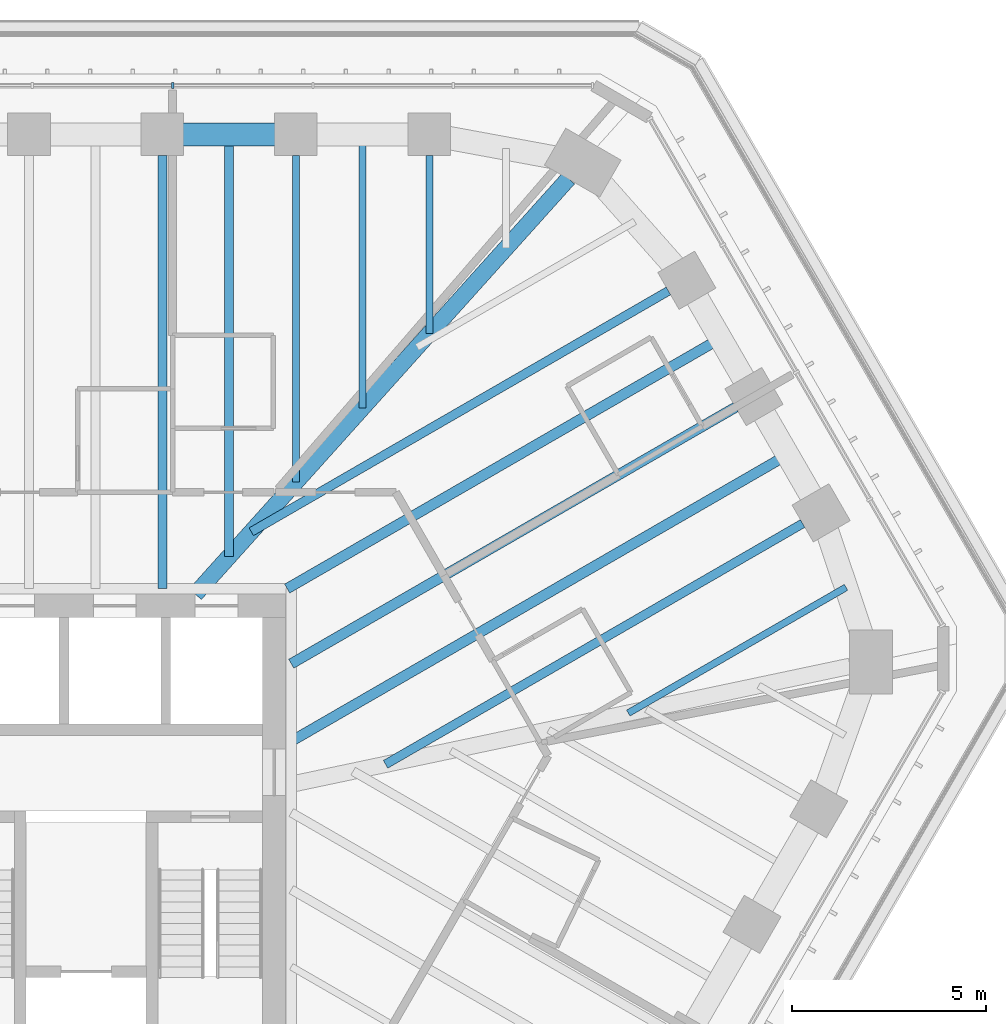
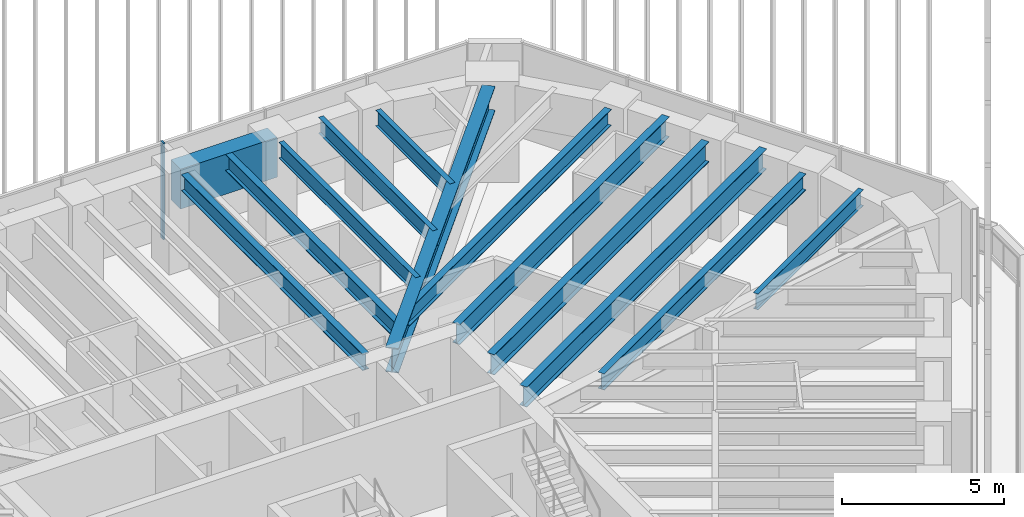
# One storey, part 93 of 127: 13 beams, 1 member, 1 element without a shape of its own.
"""IFC4 building model written with IfcOpenShell, lengths in metres."""

from ifc_helpers import new_model, si_unit, direction, frame, origin, origin_2d, place, context, subcontext, project, spatial, rectangle, i_section, extrude, material, material_profile, profile_set, type_object, element, aggregate, save


model = new_model("IFC4")

# Units and contexts
model_context = context("Model", 3, precision=1e-05, world=origin(), true_north=direction((0.0, 1.0)))
body_context = subcontext(model_context, "Body", "Model", "MODEL_VIEW")
ifc_project = project(units=[si_unit("LENGTHUNIT", "METRE"), si_unit("AREAUNIT", "SQUARE_METRE"), si_unit("VOLUMEUNIT", "CUBIC_METRE"), si_unit("PLANEANGLEUNIT", "RADIAN"), si_unit("MASSUNIT", "GRAM", prefix="KILO")], contexts=[model_context])

# Site, building, storey
site_placement = place(None, origin())
site = spatial("IfcSite", under=ifc_project, at=site_placement, CompositionType="ELEMENT")
building_placement = place(site_placement, origin())
building = spatial("IfcBuilding", under=site, at=building_placement, Name="Sandreach Pilgrim Tower", CompositionType="ELEMENT")
storey_placement = place(building_placement, frame((0.0, 0.0, 257.0)))
storey = spatial("IfcBuildingStorey", under=building, at=storey_placement, Name="L64", CompositionType="ELEMENT", Elevation=257.0)

# Curtain wall, member
ifc_material_1 = material(Name="Aluminium framed curtain wall", Category="aluminium")
curtain_wall_type = type_object("IfcCurtainWallType", Name="Suite tower curtain wall", PredefinedType="NOTDEFINED", material=ifc_material_1)
curtain_wall_placement = place(storey_placement, origin())
curtain_wall = element("IfcCurtainWall", 1, at=curtain_wall_placement, inside=storey, type_object=curtain_wall_type, Name="CW-4 L64 N", PredefinedType="NOTDEFINED")
ifc_material_2 = material(Name="Aluminium extrusion", Category="aluminium")
ifc_material_profile_1 = material_profile(ifc_material_2, rectangle(XDim=0.06005859375, YDim=0.159912109375, at=origin_2d()), Name="CW-4M 60X160")
ifc_profile_set_1 = profile_set([ifc_material_profile_1], Name="Aluminium extrusion")
member_type = type_object("IfcMemberType", Name="CW-4 mullion", PredefinedType="MULLION", material=ifc_profile_set_1)
member_placement = place(storey_placement, frame((5.432861328125, 19.826416015625, 0.0), z_axis=(0.0, 0.0, 1.0), x_axis=(1.0, 0.0, 0.0)))
member = element("IfcMember", 2, at=member_placement, type_object=member_type, Name="CW-4 mullion 7", PredefinedType="MULLION", context=body_context, shape_type="SweptSolid", body=[
    extrude(rectangle(XDim=0.06005859375, YDim=0.159912109375, at=origin_2d()), origin(), (0.0, 0.0, 1.0), 3.639892578125),
])
aggregate(curtain_wall, [member])

# Beams
ifc_material_3 = material(Name="Steel ASTM A992 Grade 50", Category="steel")
ifc_material_profile_2 = material_profile(ifc_material_3, i_section(OverallWidth=0.419189453125, OverallDepth=0.927001953125, WebThickness=0.019287109375, FlangeThickness=0.031982421875, at=origin_2d()), Name="W36X231")
ifc_profile_set_2 = profile_set([ifc_material_profile_2], Name="Steel ASTM A992 Grade 50")
beam_type_1 = type_object("IfcBeamType", Name="Corner girder W36X231", PredefinedType="BEAM", material=ifc_profile_set_2)
beam_1_placement = place(storey_placement, frame((15.649169921875, 17.427978515625, 3.176513671875), z_axis=(-0.668114851597, -0.74405815974, 0.0), x_axis=(0.74405815974, -0.668114851597, 0.0)))
element("IfcBeam", 3, at=beam_1_placement, inside=storey, type_object=beam_type_1, Name="BM L64 CG09", PredefinedType="BEAM", context=body_context, shape_type="SweptSolid", body=[
    extrude(i_section(OverallWidth=0.419189453125, OverallDepth=0.927001953125, WebThickness=0.019287109375, FlangeThickness=0.031982421875, at=origin_2d()), origin(), (0.0, 0.0, 1.0), 14.418212890625),
])
ifc_material_4 = material(Name="Steel ASTM A992 Grade 50", Category="steel")
ifc_material_profile_3 = material_profile(ifc_material_4, i_section(OverallWidth=0.1787109375, OverallDepth=0.60205078125, WebThickness=0.010986328125, FlangeThickness=0.014892578125, at=origin_2d()), Name="W24X62")
ifc_profile_set_3 = profile_set([ifc_material_profile_3], Name="Steel ASTM A992 Grade 50")
beam_type_2 = type_object("IfcBeamType", Name="Floor beam W24X62", PredefinedType="BEAM", material=ifc_profile_set_3)
beam_2_placement = place(storey_placement, frame((8.612548828125, 18.016357421875, 3.339111328125), z_axis=(0.0, -1.0, 0.0), x_axis=(1.0, 0.0, 0.0)))
element("IfcBeam", 4, at=beam_2_placement, inside=storey, type_object=beam_type_2, Name="BM L64 F07", PredefinedType="BEAM", context=body_context, shape_type="SweptSolid", body=[
    extrude(i_section(OverallWidth=0.1787109375, OverallDepth=0.60205078125, WebThickness=0.010986328125, FlangeThickness=0.014892578125, at=origin_2d()), origin(), (0.0, 0.0, 1.0), 8.4248046875),
])
beam_3_placement = place(storey_placement, frame((12.0576171875, 18.016357421875, 3.339111328125), z_axis=(0.0, -1.0, 0.0), x_axis=(1.0, 0.0, 0.0)))
element("IfcBeam", 5, at=beam_3_placement, inside=storey, type_object=beam_type_2, Name="BM L64 F08", PredefinedType="BEAM", context=body_context, shape_type="SweptSolid", body=[
    extrude(i_section(OverallWidth=0.1787109375, OverallDepth=0.60205078125, WebThickness=0.010986328125, FlangeThickness=0.014892578125, at=origin_2d()), origin(), (0.0, 0.0, 1.0), 4.58837890625),
])
beam_4_placement = place(storey_placement, frame((10.3349609375, 18.56640625, 3.339111328125), z_axis=(0.0, -1.0, 0.0), x_axis=(1.0, 0.0, 0.0)))
element("IfcBeam", 6, at=beam_4_placement, inside=storey, type_object=beam_type_2, Name="BM L64 FM07", PredefinedType="BEAM", context=body_context, shape_type="SweptSolid", body=[
    extrude(i_section(OverallWidth=0.1787109375, OverallDepth=0.60205078125, WebThickness=0.010986328125, FlangeThickness=0.014892578125, at=origin_2d()), origin(), (0.0, 0.0, 1.0), 7.056640625),
])
beam_5_placement = place(storey_placement, frame((22.8125, 6.875, 3.339111328125), z_axis=(-0.866023980233, -0.500002465655, 0.0), x_axis=(0.500002465655, -0.866023980233, 0.0)))
element("IfcBeam", 7, at=beam_5_placement, inside=storey, type_object=beam_type_2, Name="BM L64 FM12", PredefinedType="BEAM", context=body_context, shape_type="SweptSolid", body=[
    extrude(i_section(OverallWidth=0.1787109375, OverallDepth=0.60205078125, WebThickness=0.010986328125, FlangeThickness=0.014892578125, at=origin_2d()), origin(), (0.0, 0.0, 1.0), 6.49072265625),
])
ifc_material_5 = material(Name="Steel ASTM A992 Grade 50", Category="steel")
ifc_material_profile_4 = material_profile(ifc_material_5, i_section(OverallWidth=0.23046875, OverallDepth=0.6171875, WebThickness=0.01318359375, FlangeThickness=0.022216796875, at=origin_2d()), Name="W24X94")
ifc_profile_set_4 = profile_set([ifc_material_profile_4], Name="Steel ASTM A992 Grade 50")
beam_type_3 = type_object("IfcBeamType", Name="Floor beam W24X94", PredefinedType="BEAM", material=ifc_profile_set_4)
beam_6_placement = place(storey_placement, frame((5.16748046875, 18.016357421875, 3.331298828125), z_axis=(0.0, -1.0, 0.0), x_axis=(1.0, 0.0, 0.0)))
element("IfcBeam", 8, at=beam_6_placement, inside=storey, type_object=beam_type_3, Name="BM L64 F06", PredefinedType="BEAM", context=body_context, shape_type="SweptSolid", body=[
    extrude(i_section(OverallWidth=0.23046875, OverallDepth=0.6171875, WebThickness=0.01318359375, FlangeThickness=0.022216796875, at=origin_2d()), origin(), (0.0, 0.0, 1.0), 11.173095703125),
])
for number, where, z_axis, x_axis, name in (
    (9, (18.227294921875, 14.525390625, 3.331298828125), (-0.866020427415, -0.500008619226, 0.0), (0.500008619226, -0.866020427415, 0.0), "BM L64 F10"),
    (10, (21.69287109375, 8.522705078125, 3.331298828125), (-0.866028931402, -0.499993889937, 0.0), (0.499993889937, -0.866028931402, 0.0), "BM L64 F12"),
):
    element("IfcBeam", number, at=place(storey_placement, frame(where, z_axis=z_axis, x_axis=x_axis)), inside=storey, type_object=beam_type_3, Name=name, PredefinedType="BEAM", context=body_context, shape_type="SweptSolid", body=[
        extrude(i_section(OverallWidth=0.23046875, OverallDepth=0.6171875, WebThickness=0.01318359375, FlangeThickness=0.022216796875, at=origin_2d()), origin(), (0.0, 0.0, 1.0), 12.431396484375),
    ])
beam_7_placement = place(storey_placement, frame((6.89013671875, 18.56640625, 3.331298828125), z_axis=(0.0, -1.0, 0.0), x_axis=(1.0, 0.0, 0.0)))
element("IfcBeam", 11, at=beam_7_placement, inside=storey, type_object=beam_type_3, Name="BM L64 FM06", PredefinedType="BEAM", context=body_context, shape_type="SweptSolid", body=[
    extrude(i_section(OverallWidth=0.23046875, OverallDepth=0.6171875, WebThickness=0.01318359375, FlangeThickness=0.022216796875, at=origin_2d()), origin(), (0.0, 0.0, 1.0), 10.893310546875),
])
ifc_material_6 = material(Name="Steel ASTM A992 Grade 50", Category="steel")
ifc_material_profile_5 = material_profile(ifc_material_6, i_section(OverallWidth=0.2666015625, OverallDepth=0.761962890625, WebThickness=0.014404296875, FlangeThickness=0.021484375, at=origin_2d()), Name="W30X116")
ifc_profile_set_5 = profile_set([ifc_material_profile_5], Name="Steel ASTM A992 Grade 50")
beam_type_4 = type_object("IfcBeamType", Name="Floor beam W30X116", PredefinedType="BEAM", material=ifc_profile_set_5)
beam_8_placement = place(storey_placement, frame((19.960205078125, 11.52392578125, 3.259033203125), z_axis=(-0.86602530353, -0.500000173646, 0.0), x_axis=(0.500000173646, -0.86602530353, 0.0)))
element("IfcBeam", 12, at=beam_8_placement, inside=storey, type_object=beam_type_4, Name="BM L64 F11", PredefinedType="BEAM", context=body_context, shape_type="SweptSolid", body=[
    extrude(i_section(OverallWidth=0.2666015625, OverallDepth=0.761962890625, WebThickness=0.014404296875, FlangeThickness=0.021484375, at=origin_2d()), origin(), (0.0, 0.0, 1.0), 13.24072265625),
])
beam_9_placement = place(storey_placement, frame((19.570068359375, 13.299560546875, 3.259033203125), z_axis=(-0.866025008595, -0.500000684488, 0.0), x_axis=(0.500000684488, -0.866025008595, 0.0)))
element("IfcBeam", 13, at=beam_9_placement, inside=storey, type_object=beam_type_4, Name="BM L64 FM10", PredefinedType="BEAM", context=body_context, shape_type="SweptSolid", body=[
    extrude(i_section(OverallWidth=0.2666015625, OverallDepth=0.761962890625, WebThickness=0.014404296875, FlangeThickness=0.021484375, at=origin_2d()), origin(), (0.0, 0.0, 1.0), 12.91259765625),
])
beam_10_placement = place(storey_placement, frame((21.302978515625, 10.29833984375, 3.259033203125), z_axis=(-0.866028362181, -0.499994875871, 0.0), x_axis=(0.499994875871, -0.866028362181, 0.0)))
element("IfcBeam", 14, at=beam_10_placement, inside=storey, type_object=beam_type_4, Name="BM L64 FM11", PredefinedType="BEAM", context=body_context, shape_type="SweptSolid", body=[
    extrude(i_section(OverallWidth=0.2666015625, OverallDepth=0.761962890625, WebThickness=0.014404296875, FlangeThickness=0.021484375, at=origin_2d()), origin(), (0.0, 0.0, 1.0), 14.791259765625),
])
ifc_material_7 = material(Name="Concrete 10000 psi", Category="concrete")
ifc_material_profile_6 = material_profile(ifc_material_7, rectangle(XDim=0.60009765625, YDim=1.5, at=origin_2d()), Name="RC600X1500")
ifc_profile_set_6 = profile_set([ifc_material_profile_6], Name="Concrete 10000 psi")
beam_type_5 = type_object("IfcBeamType", Name="Spandrel beam RC600X1500", PredefinedType="SPANDREL", material=ifc_profile_set_6)
beam_11_placement = place(storey_placement, frame((5.16748046875, 18.56640625, 2.889892578125), z_axis=(1.0, 0.0, 0.0), x_axis=(0.0, 1.0, 0.0)))
element("IfcBeam", 15, at=beam_11_placement, inside=storey, type_object=beam_type_5, Name="BM L64 SP06", PredefinedType="SPANDREL", context=body_context, shape_type="SweptSolid", body=[
    extrude(rectangle(XDim=0.60009765625, YDim=1.5, at=origin_2d()), origin(), (0.0, 0.0, 1.0), 3.445068359375),
])

save(model, "model.ifc")
